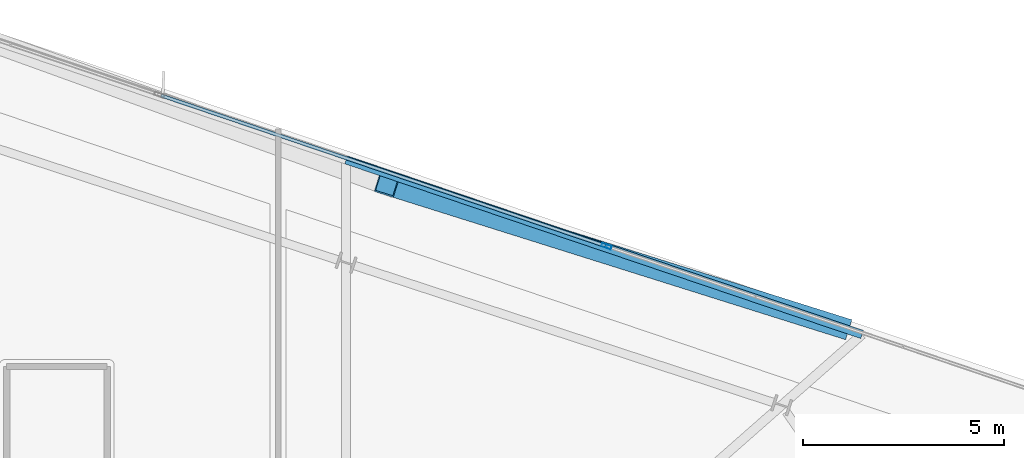
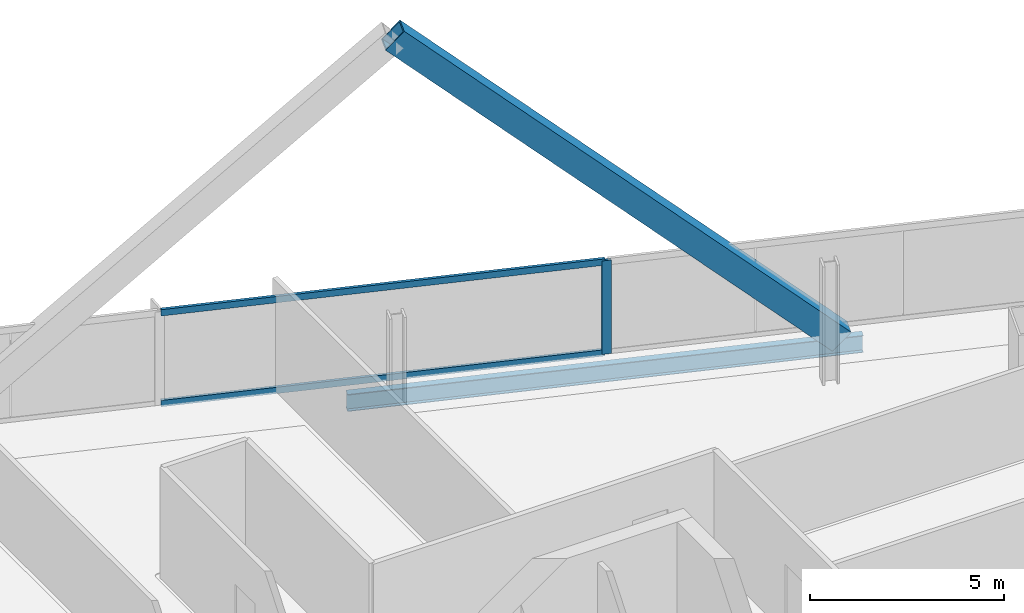
# One storey, part 19 of 29: 4 members, 1 beam, 1 element without a shape of its own.
"""IFC4 building model written with IfcOpenShell, lengths in metres."""

from ifc_helpers import new_model, si_unit, direction, frame, origin, origin_2d, place, context, subcontext, project, spatial, hollow_rectangle, i_section, extrude, material, material_profile, profile_set, type_object, element, aggregate, save


model = new_model("IFC4")

# Units and contexts
model_context = context("Model", 3, precision=1e-05, world=origin(), true_north=direction((0.0, 1.0)))
body_context = subcontext(model_context, "Body", "Model", "MODEL_VIEW")
ifc_project = project(units=[si_unit("LENGTHUNIT", "METRE"), si_unit("AREAUNIT", "SQUARE_METRE"), si_unit("VOLUMEUNIT", "CUBIC_METRE"), si_unit("PLANEANGLEUNIT", "RADIAN"), si_unit("MASSUNIT", "GRAM", prefix="KILO")], contexts=[model_context])

# Site, building, storey
site_placement = place(None, origin())
site = spatial("IfcSite", under=ifc_project, at=site_placement, CompositionType="ELEMENT")
building_placement = place(site_placement, origin())
building = spatial("IfcBuilding", under=site, at=building_placement, Name="Haldenkirk Collegiate Tower", CompositionType="ELEMENT")
storey_placement = place(building_placement, frame((0.0, 0.0, 267.449951171875)))
storey = spatial("IfcBuildingStorey", under=building, at=storey_placement, Name="L67", CompositionType="ELEMENT", Elevation=267.449951171875)

# Beam
ifc_material_1 = material(Name="Steel ASTM A992 Grade 50", Category="steel")
ifc_material_profile_1 = material_profile(ifc_material_1, i_section(OverallWidth=0.2099609375, OverallDepth=0.537109375, WebThickness=0.010986328125, FlangeThickness=0.017333984375, at=origin_2d()), Name="W21X68")
ifc_profile_set_1 = profile_set([ifc_material_profile_1], Name="Steel ASTM A992 Grade 50")
beam_type = type_object("IfcBeamType", Name="BM-SPANDREL-W21X68", PredefinedType="SPANDREL", material=ifc_profile_set_1)
beam_placement = place(storey_placement, frame((56.017578125, 43.6962890625, -0.538330078125), z_axis=(-0.947212937472, 0.320605132656, 0.0), x_axis=(-0.320605132656, -0.947212937472, 0.0)))
element("IfcBeam", 1, at=beam_placement, inside=storey, type_object=beam_type, Name="L67 outer facade edge beam 2A", PredefinedType="SPANDREL", context=body_context, shape_type="SweptSolid", body=[
    extrude(i_section(OverallWidth=0.2099609375, OverallDepth=0.537109375, WebThickness=0.010986328125, FlangeThickness=0.017333984375, at=origin_2d()), origin(), (0.0, 0.0, 1.0), 13.54248046875),
])

# Curtain wall, members
ifc_material_2 = material(Name="Anodised architectural bronze aluminium", Category="aluminium")
curtain_wall_type = type_object("IfcCurtainWallType", Name="CW-SYS1B-CONVEX-HI", PredefinedType="USERDEFINED", material=ifc_material_2)
curtain_wall_placement = place(storey_placement, origin())
curtain_wall = element("IfcCurtainWall", 2, at=curtain_wall_placement, inside=storey, type_object=curtain_wall_type, Name="L67 Upper tower high-wind convex bronze unitised curtain wall", ObjectType="UNITISED CURTAIN WALL", PredefinedType="USERDEFINED")
ifc_material_profile_2 = material_profile(ifc_material_2, hollow_rectangle(XDim=0.0849609375, YDim=0.25, WallThickness=0.0048828125, at=origin_2d()), Name="CW-MUL-1B")
ifc_profile_set_2 = profile_set([ifc_material_profile_2], Name="Anodised architectural bronze aluminium")
member_type_1 = type_object("IfcMemberType", Name="CW-MUL-1B", PredefinedType="MULLION", material=ifc_profile_set_2)
member_1_placement = place(storey_placement, frame((49.66455078125, 45.888916015625, 0.0), z_axis=(0.0, 0.0, 1.0), x_axis=(0.320613585306, 0.947210076444, 0.0)))
member_1 = element("IfcMember", 3, at=member_1_placement, type_object=member_type_1, Name="CW-1B mullion 3", PredefinedType="MULLION", context=body_context, shape_type="SweptSolid", body=[
    extrude(hollow_rectangle(XDim=0.0849609375, YDim=0.25, WallThickness=0.0048828125, at=origin_2d()), origin(), (0.0, 0.0, 1.0), 2.93798828125),
])
ifc_material_profile_3 = material_profile(ifc_material_2, hollow_rectangle(XDim=0.0849609375, YDim=0.199951171875, WallThickness=0.0048828125, at=origin_2d()), Name="CW-TRN-1B")
ifc_profile_set_3 = profile_set([ifc_material_profile_3], Name="Anodised architectural bronze aluminium")
member_type_2 = type_object("IfcMemberType", Name="CW-TRN-1B", PredefinedType="USERDEFINED", material=ifc_profile_set_3)
member_2_placement = place(storey_placement, frame((38.591064453125, 49.63720703125, 0.04248046875), z_axis=(0.947210192168, -0.320613243414, 0.0), x_axis=(0.320613243414, 0.947210192168, 0.0)))
member_2 = element("IfcMember", 4, at=member_2_placement, type_object=member_type_2, Name="CW-1B transom 2.1", ObjectType="TRANSOM", PredefinedType="USERDEFINED", context=body_context, shape_type="SweptSolid", body=[
    extrude(hollow_rectangle(XDim=0.0849609375, YDim=0.199951171875, WallThickness=0.0048828125, at=origin_2d()), origin(), (0.0, 0.0, 1.0), 11.6484375),
])
member_3_placement = place(storey_placement, frame((38.591064453125, 49.63720703125, 2.8955078125), z_axis=(0.947210192168, -0.320613243414, 0.0), x_axis=(0.320613243414, 0.947210192168, 0.0)))
member_3 = element("IfcMember", 5, at=member_3_placement, type_object=member_type_2, Name="CW-1B transom 2.2", ObjectType="TRANSOM", PredefinedType="USERDEFINED", context=body_context, shape_type="SweptSolid", body=[
    extrude(hollow_rectangle(XDim=0.0849609375, YDim=0.199951171875, WallThickness=0.0048828125, at=origin_2d()), origin(), (0.0, 0.0, 1.0), 11.6484375),
])
aggregate(curtain_wall, [member_1, member_2, member_3])

# Member
ifc_material_3 = material(Name="Steel ASTM A572 Grade 50", Category="steel")
ifc_material_profile_4 = material_profile(ifc_material_3, hollow_rectangle(XDim=0.52001953125, YDim=0.719970703125, WallThickness=0.035888671875, at=origin_2d()), Name="BOX720X520X36")
ifc_profile_set_4 = profile_set([ifc_material_profile_4], Name="Steel ASTM A572 Grade 50")
member_type_3 = type_object("IfcMemberType", Name="MBR-MEGABRACE-BOX720X520X36", PredefinedType="BRACE", material=ifc_profile_set_4)
member_4_placement = place(storey_placement, frame((55.44921875, 43.888671875, -0.280029296875), z_axis=(-0.690074684835, 0.217114773936, 0.690404304946), x_axis=(-0.300121166056, -0.953901087999, 0.0)))
element("IfcMember", 6, at=member_4_placement, inside=storey, type_object=member_type_3, Name="Perimeter Mega Brace Z5 L67-L69 EL", PredefinedType="BRACE", context=body_context, shape_type="SweptSolid", body=[
    extrude(hollow_rectangle(XDim=0.52001953125, YDim=0.719970703125, WallThickness=0.035888671875, at=origin_2d()), origin(), (0.0, 0.0, 1.0), 16.294921875),
])

save(model, "model.ifc")
